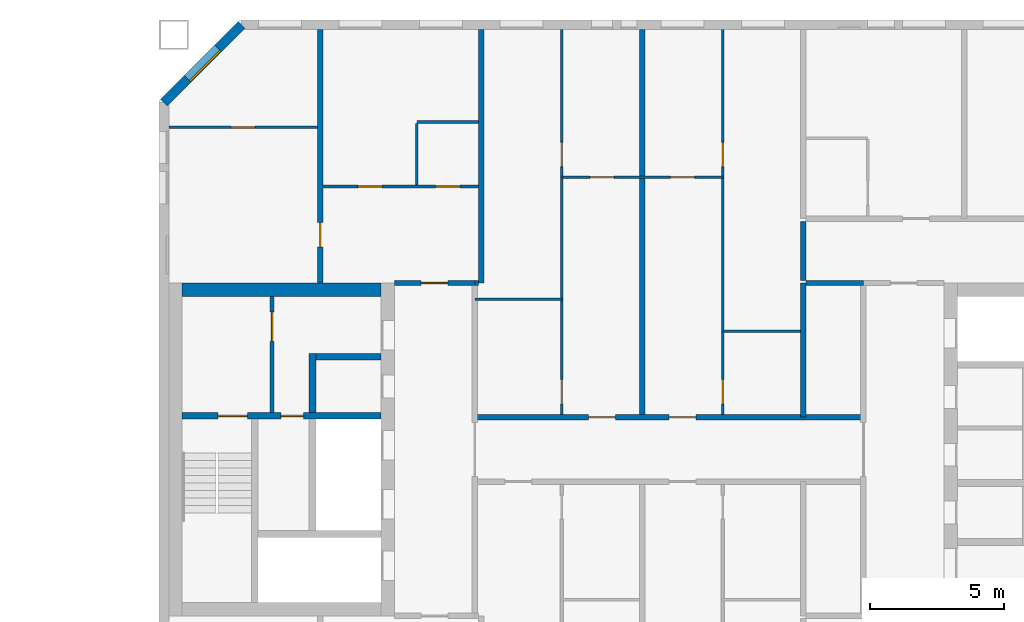
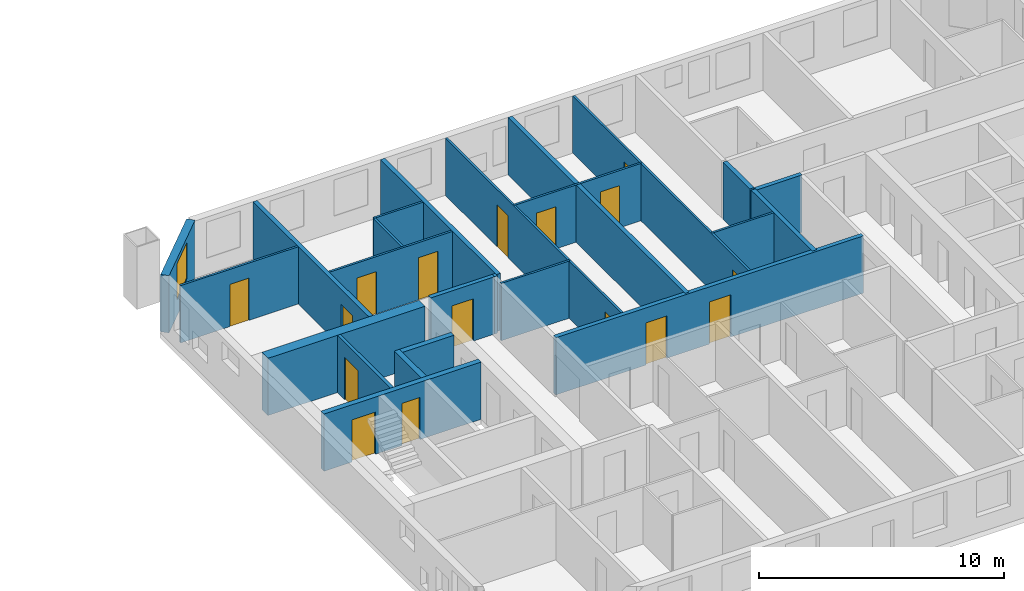
# One storey, part 10 of 15: 24 walls, 16 doors, 1 window, 17 openings.
"""IFC4 building model written with IfcOpenShell, lengths in metres."""

import ifcopenshell
import ifcopenshell.guid

model = None  # the IFC model being written
_history = None  # IfcOwnerHistory: only IFC2X3 demands one
_inside = {}  # id of a spatial element -> (the spatial element, [elements in it])
_under = {}  # id of a project, library or spatial element -> (it, [spatial elements below it])
_declared = {}  # id of a project -> (the project, [libraries it declares])
_typed = {}  # id of a type object -> (the type object, [elements of that type])
_made_of = {}  # id of a material, layer set ... -> (it, [elements and type objects made of it])


def new_model(schema):
    """Start an empty IFC model of exactly this schema.

    Asked for "IFC4X3", IfcOpenShell would pick the latest addendum, in which some entities
    have other attributes; the version numbers below select the first issue.
    IFC2X3 requires an IfcOwnerHistory on every rooted entity: one is made here for all.
    """
    global model, _history
    if schema == "IFC4X3":
        model = ifcopenshell.file(schema_version=(4, 3, 0, 0))
    else:
        model = ifcopenshell.file(schema=schema)
    _inside.clear()
    _under.clear()
    _declared.clear()
    _typed.clear()
    _made_of.clear()
    _history = None
    if model.schema == "IFC2X3":
        org = make("IfcOrganization", Name="unknown")
        user = make(
            "IfcPersonAndOrganization",
            ThePerson=make("IfcPerson", FamilyName="unknown"),
            TheOrganization=org,
        )
        app = make(
            "IfcApplication",
            ApplicationDeveloper=org,
            Version="unknown",
            ApplicationFullName="unknown",
            ApplicationIdentifier="unknown",
        )
        _history = make(
            "IfcOwnerHistory",
            OwningUser=user,
            OwningApplication=app,
            ChangeAction="ADDED",
            CreationDate=0,
        )
    return model


def make(cls, **values):
    """One entity of the class cls with the attributes given. An attribute that is None is left unset."""
    return model.create_entity(
        cls, **{name: value for name, value in values.items() if value is not None}
    )


def rooted(cls, **values):
    """An entity with a GlobalId (a new one), such as an element, a storey or a relation."""
    return make(cls, GlobalId=ifcopenshell.guid.new(), OwnerHistory=_history, **values)


def si_unit(unit_type, name, prefix=None):
    """IfcSIUnit, for example si_unit("LENGTHUNIT", "METRE", prefix="MILLI")."""
    return make("IfcSIUnit", UnitType=unit_type, Prefix=prefix, Name=name)


def assignment(units):
    """IfcUnitAssignment: the units of a project."""
    return None if units is None else make("IfcUnitAssignment", Units=units)


def point(xyz):
    """IfcCartesianPoint."""
    return None if xyz is None else make("IfcCartesianPoint", Coordinates=xyz)


def direction(xyz):
    """IfcDirection."""
    return None if xyz is None else make("IfcDirection", DirectionRatios=xyz)


def frame(location, z_axis=None, x_axis=None):
    """IfcAxis2Placement3D, a coordinate frame: its origin and axes. An axis left out is left unset."""
    return make(
        "IfcAxis2Placement3D",
        Location=point(location),
        Axis=direction(z_axis),
        RefDirection=direction(x_axis),
    )


def frame_2d(location, x_axis=None):
    """IfcAxis2Placement2D, a coordinate frame in the plane: its origin and x axis."""
    return make(
        "IfcAxis2Placement2D", Location=point(location), RefDirection=direction(x_axis)
    )


def origin():
    """The frame at (0, 0, 0) with its axes left unset."""
    return frame((0.0, 0.0, 0.0))


def place(relative_to, where):
    """IfcLocalPlacement: puts the frame where relative to a parent placement (None: the world)."""
    return make(
        "IfcLocalPlacement", PlacementRelTo=relative_to, RelativePlacement=where
    )


def context(
    kind, dimensions, precision=None, world=None, true_north=None, identifier=None
):
    """IfcGeometricRepresentationContext, for example the 3D "Model" context."""
    return make(
        "IfcGeometricRepresentationContext",
        ContextIdentifier=identifier,
        ContextType=kind,
        CoordinateSpaceDimension=dimensions,
        Precision=precision,
        WorldCoordinateSystem=world,
        TrueNorth=true_north,
    )


def subcontext(parent, identifier, kind, view, scale=None):
    """IfcGeometricRepresentationSubContext, for example "Body" below "Model"."""
    return make(
        "IfcGeometricRepresentationSubContext",
        ContextIdentifier=identifier,
        ContextType=kind,
        ParentContext=parent,
        TargetScale=scale,
        TargetView=view,
    )


def project(units=None, contexts=None):
    """IfcProject with its units and contexts."""
    return rooted(
        "IfcProject",
        Name="project",
        RepresentationContexts=contexts,
        UnitsInContext=assignment(units),
    )


def spatial(cls, under=None, at=None, **own):
    """A site, building, storey or space (cls), placed at a placement, below another one or the project."""
    s = rooted(cls, ObjectPlacement=at, **own)
    if under is not None:
        _under.setdefault(under.id(), (under, []))[1].append(s)
    return s


def profile(cls, at=None, kind="AREA", **sizes):
    """A parametric profile (cls). Its sizes go by their IFC names, for example OverallWidth=200.0."""
    return make(cls, ProfileType=kind, Position=at, **sizes)


def rectangle(**sizes):
    """IfcRectangleProfileDef."""
    return profile("IfcRectangleProfileDef", **sizes)


def extrude(swept, where, along, depth):
    """IfcExtrudedAreaSolid: the profile swept, set in the frame where, extruded along a direction by depth."""
    return make(
        "IfcExtrudedAreaSolid",
        SweptArea=swept,
        Position=where,
        ExtrudedDirection=direction(along),
        Depth=depth,
    )


def shape(context_of_items, identifier, shape_type, items):
    """IfcShapeRepresentation: the items that make up one representation, for example the "Body"."""
    return make(
        "IfcShapeRepresentation",
        ContextOfItems=context_of_items,
        RepresentationIdentifier=identifier,
        RepresentationType=shape_type,
        Items=items,
    )


def material(Name=None, Category=None):
    """IfcMaterial."""
    return make("IfcMaterial", Name=Name, Category=Category)


def layer(
    of_material, thickness, ventilated=None, Name=None, Category=None, Priority=None
):
    """IfcMaterialLayer: one layer of a wall or slab, of a material (None: an air gap)."""
    return make(
        "IfcMaterialLayer",
        Material=of_material,
        LayerThickness=thickness,
        IsVentilated=ventilated,
        Name=Name,
        Category=Category,
        Priority=Priority,
    )


def layer_set(layers, Name=None):
    """IfcMaterialLayerSet."""
    return make("IfcMaterialLayerSet", MaterialLayers=layers, LayerSetName=Name)


def made_of(thing, what):
    """Note that an element or type object is made of a material, layer set ...; save() writes the relation."""
    if what is not None:
        _made_of.setdefault(what.id(), (what, []))[1].append(thing)
    return thing


def type_object(cls, material=None, **own):
    """A type object (cls), such as IfcWallType, which elements share."""
    return made_of(rooted(cls, **own), material)


def element(
    cls,
    number,
    at=None,
    inside=None,
    cuts=None,
    type_object=None,
    material=None,
    context=None,
    identifier="Body",
    shape_type=None,
    held_by="IfcProductDefinitionShape",
    body=None,
    shapes=None,
    **own,
):
    """One element of the class cls, such as IfcWall. Its Tag is "e" and its number.

    at: its placement. inside: the storey or other place that contains it. cuts: it is an
    opening in that element (IfcRelVoidsElement). A single representation is given by context,
    identifier, shape_type and body (its items); several are given by shapes. held_by: the class
    of the entity that holds the representations. save() writes the other relations.
    """
    e = rooted(cls, Tag="e%d" % number, ObjectPlacement=at, **own)
    if body is not None:
        shapes = [shape(context, identifier, shape_type, body)]
    if shapes is not None:
        e.Representation = make(held_by, Representations=shapes)
    if inside is not None:
        _inside.setdefault(inside.id(), (inside, []))[1].append(e)
    if cuts is not None:
        rooted(
            "IfcRelVoidsElement", RelatingBuildingElement=cuts, RelatedOpeningElement=e
        )
    if type_object is not None:
        _typed.setdefault(type_object.id(), (type_object, []))[1].append(e)
    return made_of(e, material)


def fill(opening, filler):
    """IfcRelFillsElement: the door or window that sits in an opening."""
    return rooted(
        "IfcRelFillsElement",
        RelatingOpeningElement=opening,
        RelatedBuildingElement=filler,
    )


def aggregate(whole, parts):
    """IfcRelAggregates: a whole, such as a stair, and the parts it consists of."""
    return rooted("IfcRelAggregates", RelatingObject=whole, RelatedObjects=parts)


def save(model, path):
    """Write the relations noted so far, then the file.

    IfcRelAggregates (storeys below a building ...), IfcRelContainedInSpatialStructure (elements
    in a storey), IfcRelDefinesByType, IfcRelAssociatesMaterial and IfcRelDeclares: one each for
    every whole, place, type object, material and project.
    """
    for whole, parts in _under.values():
        aggregate(whole, parts)
    for where, things in _inside.values():
        rooted(
            "IfcRelContainedInSpatialStructure",
            RelatedElements=things,
            RelatingStructure=where,
        )
    for kind, things in _typed.values():
        rooted("IfcRelDefinesByType", RelatedObjects=things, RelatingType=kind)
    for what, things in _made_of.values():
        rooted("IfcRelAssociatesMaterial", RelatedObjects=things, RelatingMaterial=what)
    for by, libraries in _declared.values():
        rooted("IfcRelDeclares", RelatingContext=by, RelatedDefinitions=libraries)
    model.write(path)


model = new_model("IFC4")

# Units and contexts
model_context = context("Model", 3, precision=1e-05, world=origin(), true_north=direction((0.0, 1.0)))
body_context = subcontext(model_context, "Body", "Model", "MODEL_VIEW")
ifc_project = project(units=[si_unit("LENGTHUNIT", "METRE"), si_unit("AREAUNIT", "SQUARE_METRE"), si_unit("VOLUMEUNIT", "CUBIC_METRE"), si_unit("PLANEANGLEUNIT", "RADIAN"), si_unit("MASSUNIT", "GRAM", prefix="KILO")], contexts=[model_context])

# Site, building, storey
site_placement = place(None, origin())
site = spatial("IfcSite", under=ifc_project, at=site_placement, CompositionType="ELEMENT")
building_placement = place(site_placement, origin())
building = spatial("IfcBuilding", under=site, at=building_placement, Name="Tuart Gate Housing", CompositionType="ELEMENT")
storey_placement = place(building_placement, frame((0.0, 0.0, 160.89990234375)))
storey = spatial("IfcBuildingStorey", under=building, at=storey_placement, Name="L45", CompositionType="ELEMENT", Elevation=160.89990234375)

# Wall, opening, window
ifc_material_1 = material(Name="Brick", Category="masonry")
ifc_layer_1 = layer(ifc_material_1, 0.360107421875)
ifc_layer_set_1 = layer_set([ifc_layer_1], Name="Brick pier and spandrel wall 360")
wall_type_1 = type_object("IfcWallType", Name="Brick pier and spandrel wall 360", PredefinedType="STANDARD", material=ifc_layer_set_1)
wall_1_placement = place(storey_placement, frame((134.07470703125, 85.820068359375, 0.0), z_axis=(0.0, 0.0, 1.0), x_axis=(-0.707106781187, -0.707106781187, 0.0)))
wall_1 = element("IfcWall", 1, at=wall_1_placement, inside=storey, type_object=wall_type_1, Name="External wall B-NW L45", PredefinedType="STANDARD", context=body_context, shape_type="SweptSolid", body=[
    extrude(rectangle(XDim=4.09375, YDim=0.360107421875, at=frame_2d((2.046875, 0.0))), origin(), (0.0, 0.0, 1.0), 2.85009765625),
])
opening_1_placement = place(wall_1_placement, frame((1.2470703125, 0.0, 0.800048828125)))
opening_1 = element("IfcOpeningElement", 2, at=opening_1_placement, cuts=wall_1, Name="Opening W1", PredefinedType="OPENING", context=body_context, shape_type="SweptSolid", body=[
    extrude(rectangle(XDim=1.60009765625, YDim=1.800048828125, at=frame_2d((0.800048828125, 0.89990234375))), frame((0.0, 0.18994140625, 0.0), z_axis=(0.0, -1.0, 0.0), x_axis=(1.0, 0.0, 0.0)), (0.0, 0.0, 1.0), 0.380126953125),
])
ifc_material_2 = material(Name="Aluminium frame with clear glass", Category="aluminium")
window_type = type_object("IfcWindowType", Name="Punched window 1600 x 1800", PartitioningType="SINGLE_PANEL", PredefinedType="WINDOW", material=ifc_material_2)
window_placement = place(opening_1_placement, origin())
window = element("IfcWindow", 3, at=window_placement, inside=storey, type_object=window_type, Name="Window W1", OverallHeight=1.800048828125, OverallWidth=1.60009765625, PartitioningType="SINGLE_PANEL", PredefinedType="WINDOW", context=body_context, shape_type="SweptSolid", body=[
    extrude(rectangle(XDim=1.60009765625, YDim=1.800048828125, at=frame_2d((0.800048828125, 0.89990234375))), frame((0.0, 0.150146484375, 0.0), z_axis=(0.0, -1.0, 0.0), x_axis=(1.0, 0.0, 0.0)), (0.0, 0.0, 1.0), 0.06005859375),
])
fill(opening_1, window)

# Wall, opening, door
ifc_material_3 = material(Name="Plasterboard partition")
ifc_layer_2 = layer(ifc_material_3, 0.14990234375)
ifc_layer_set_2 = layer_set([ifc_layer_2], Name="Core partition 150")
wall_type_2 = type_object("IfcWallType", Name="Core partition 150", PredefinedType="PARTITIONING", material=ifc_layer_set_2)
wall_2_placement = place(storey_placement, frame((135.2099609375, 71.375, 0.0), z_axis=(0.0, 0.0, 1.0), x_axis=(0.0, 1.0, 0.0)))
wall_2 = element("IfcWall", 4, at=wall_2_placement, inside=storey, type_object=wall_type_2, Name="Core partition BG.6", PredefinedType="PARTITIONING", context=body_context, shape_type="SweptSolid", body=[
    extrude(rectangle(XDim=4.324951171875, YDim=0.14990234375, at=frame_2d((2.16259765625, 0.0))), origin(), (0.0, 0.0, 1.0), 2.85009765625),
])
opening_2_placement = place(wall_2_placement, frame((2.64990234375, 0.0, 0.0)))
opening_2 = element("IfcOpeningElement", 5, at=opening_2_placement, cuts=wall_2, Name="Opening D1698", PredefinedType="OPENING", context=body_context, shape_type="SweptSolid", body=[
    extrude(rectangle(XDim=1.10009765625, YDim=2.10009765625, at=frame_2d((0.550048828125, 1.050048828125))), frame((0.0, 0.0849609375, 0.0), z_axis=(0.0, -1.0, 0.0), x_axis=(1.0, 0.0, 0.0)), (0.0, 0.0, 1.0), 0.169921875),
])
ifc_material_4 = material(Name="Steel fire door", Category="steel")
door_type_1 = type_object("IfcDoorType", Name="Lobby door 1100 x 2100 RH", OperationType="SINGLE_SWING_RIGHT", PredefinedType="DOOR", material=ifc_material_4)
door_1_placement = place(opening_2_placement, origin())
door_1 = element("IfcDoor", 6, at=door_1_placement, inside=storey, type_object=door_type_1, Name="Smoke lobby door BG.KD", OperationType="SINGLE_SWING_RIGHT", OverallHeight=2.10009765625, OverallWidth=1.10009765625, PredefinedType="DOOR", context=body_context, shape_type="SweptSolid", body=[
    extrude(rectangle(XDim=1.10009765625, YDim=2.10009765625, at=frame_2d((0.550048828125, 1.050048828125))), frame((0.0, 0.02490234375, 0.0), z_axis=(0.0, -1.0, 0.0), x_axis=(1.0, 0.0, 0.0)), (0.0, 0.0, 1.0), 0.050048828125),
])
fill(opening_2, door_1)

# Wall, openings, doors
ifc_material_5 = material(Name="Concrete C40", Category="concrete")
ifc_layer_3 = layer(ifc_material_5, 0.25)
ifc_layer_set_3 = layer_set([ifc_layer_3], Name="Core wall 250 C40")
wall_type_3 = type_object("IfcWallType", Name="Core wall 250 C40", PredefinedType="SHEAR", material=ifc_layer_set_3)
wall_3_placement = place(storey_placement, frame((139.260009765625, 71.25, 0.0), z_axis=(0.0, 0.0, 1.0), x_axis=(-1.0, 0.0, 0.0)))
wall_3 = element("IfcWall", 7, at=wall_3_placement, inside=storey, type_object=wall_type_3, Name="Core wall BG.2", PredefinedType="SHEAR", context=body_context, shape_type="SweptSolid", body=[
    extrude(rectangle(XDim=7.39990234375, YDim=0.25, at=frame_2d((3.699951171875, 0.0))), origin(), (0.0, 0.0, 1.0), 2.85009765625),
])
opening_3_placement = place(wall_3_placement, frame((4.97509765625, 0.0, 0.0)))
opening_3 = element("IfcOpeningElement", 8, at=opening_3_placement, cuts=wall_3, Name="Opening D1700", PredefinedType="OPENING", context=body_context, shape_type="SweptSolid", body=[
    extrude(rectangle(XDim=1.10009765625, YDim=2.10009765625, at=frame_2d((0.550048828125, 1.050048828125))), frame((0.0, 0.135009765625, 0.0), z_axis=(0.0, -1.0, 0.0), x_axis=(1.0, 0.0, 0.0)), (0.0, 0.0, 1.0), 0.27001953125),
])
opening_4_placement = place(wall_3_placement, frame((2.875, 0.0, 0.0)))
opening_4 = element("IfcOpeningElement", 9, at=opening_4_placement, cuts=wall_3, Name="Opening D1699", PredefinedType="OPENING", context=body_context, shape_type="SweptSolid", body=[
    extrude(rectangle(XDim=0.85009765625, YDim=2.10009765625, at=frame_2d((0.425048828125, 1.050048828125))), frame((0.0, 0.135009765625, 0.0), z_axis=(0.0, -1.0, 0.0), x_axis=(1.0, 0.0, 0.0)), (0.0, 0.0, 1.0), 0.27001953125),
])
ifc_material_6 = material(Name="Steel fire door", Category="steel")
door_type_2 = type_object("IfcDoorType", Name="Riser door 850 x 2100", OperationType="SINGLE_SWING_LEFT", PredefinedType="DOOR", material=ifc_material_6)
door_2_placement = place(opening_4_placement, origin())
door_2 = element("IfcDoor", 10, at=door_2_placement, inside=storey, type_object=door_type_2, Name="Service room door BG.W1", OperationType="SINGLE_SWING_LEFT", OverallHeight=2.10009765625, OverallWidth=0.85009765625, PredefinedType="DOOR", context=body_context, shape_type="SweptSolid", body=[
    extrude(rectangle(XDim=0.85009765625, YDim=2.10009765625, at=frame_2d((0.425048828125, 1.050048828125))), frame((0.0, 0.02490234375, 0.0), z_axis=(0.0, -1.0, 0.0), x_axis=(1.0, 0.0, 0.0)), (0.0, 0.0, 1.0), 0.050048828125),
])
fill(opening_4, door_2)
ifc_material_7 = material(Name="Steel fire door", Category="steel")
door_type_3 = type_object("IfcDoorType", Name="Stair door 1100 x 2100", OperationType="SINGLE_SWING_LEFT", PredefinedType="DOOR", material=ifc_material_7)
door_3_placement = place(opening_3_placement, origin())
door_3 = element("IfcDoor", 11, at=door_3_placement, inside=storey, type_object=door_type_3, Name="Stair door BG.SD", OperationType="SINGLE_SWING_LEFT", OverallHeight=2.10009765625, OverallWidth=1.10009765625, PredefinedType="DOOR", context=body_context, shape_type="SweptSolid", body=[
    extrude(rectangle(XDim=1.10009765625, YDim=2.10009765625, at=frame_2d((0.550048828125, 1.050048828125))), frame((0.0, 0.02490234375, 0.0), z_axis=(0.0, -1.0, 0.0), x_axis=(1.0, 0.0, 0.0)), (0.0, 0.0, 1.0), 0.050048828125),
])
fill(opening_3, door_3)

# Walls
wall_4_placement = place(storey_placement, frame((139.260009765625, 73.449951171875, 0.0), z_axis=(0.0, 0.0, 1.0), x_axis=(-1.0, 0.0, 0.0)))
element("IfcWall", 12, at=wall_4_placement, inside=storey, type_object=wall_type_3, Name="Core wall BG.3", PredefinedType="SHEAR", context=body_context, shape_type="SweptSolid", body=[
    extrude(rectangle(XDim=2.425048828125, YDim=0.25, at=frame_2d((1.21240234375, 0.0))), origin(), (0.0, 0.0, 1.0), 2.85009765625),
])
wall_5_placement = place(storey_placement, frame((136.7099609375, 71.375, 0.0), z_axis=(0.0, 0.0, 1.0), x_axis=(0.0, 1.0, 0.0)))
element("IfcWall", 13, at=wall_5_placement, inside=storey, type_object=wall_type_3, Name="Core wall BG.5", PredefinedType="SHEAR", context=body_context, shape_type="SweptSolid", body=[
    extrude(rectangle(XDim=2.199951171875, YDim=0.25, at=frame_2d((1.10009765625, 0.0))), origin(), (0.0, 0.0, 1.0), 2.85009765625),
])
ifc_material_8 = material(Name="Concrete C40", Category="concrete")
ifc_layer_4 = layer(ifc_material_8, 0.5)
ifc_layer_set_4 = layer_set([ifc_layer_4], Name="Core wall 500 C40")
wall_type_4 = type_object("IfcWallType", Name="Core wall 500 C40", PredefinedType="SHEAR", material=ifc_layer_set_4)
wall_6_placement = place(storey_placement, frame((139.260009765625, 75.949951171875, 0.0), z_axis=(0.0, 0.0, 1.0), x_axis=(-1.0, 0.0, 0.0)))
element("IfcWall", 14, at=wall_6_placement, inside=storey, type_object=wall_type_4, Name="Core wall BG north", PredefinedType="SHEAR", context=body_context, shape_type="SweptSolid", body=[
    extrude(rectangle(XDim=7.39990234375, YDim=0.5, at=frame_2d((3.699951171875, 0.0))), origin(), (0.0, 0.0, 1.0), 2.85009765625),
])

# Wall, openings, doors
ifc_material_9 = material(Name="Concrete masonry 15 MPa", Category="masonry")
ifc_layer_5 = layer(ifc_material_9, 0.199951171875)
ifc_layer_set_5 = layer_set([ifc_layer_5], Name="Corridor wall masonry 200")
wall_type_5 = type_object("IfcWallType", Name="Corridor wall masonry 200", PredefinedType="PARTITIONING", material=ifc_layer_set_5)
wall_7_placement = place(storey_placement, frame((142.760009765625, 71.199951171875, 0.0), z_axis=(0.0, 0.0, 1.0), x_axis=(1.0, 0.0, 0.0)))
wall_7 = element("IfcWall", 15, at=wall_7_placement, inside=storey, type_object=wall_type_5, Name="Corridor wall masonry 200", PredefinedType="PARTITIONING", context=body_context, shape_type="SweptSolid", body=[
    extrude(rectangle(XDim=14.47998046875, YDim=0.199951171875, at=frame_2d((7.239990234375, 0.0))), origin(), (0.0, 0.0, 1.0), 2.85009765625),
])
opening_5_placement = place(wall_7_placement, frame((4.239990234375, 0.0, 0.0)))
opening_5 = element("IfcOpeningElement", 16, at=opening_5_placement, cuts=wall_7, Name="Opening D1701", PredefinedType="OPENING", context=body_context, shape_type="SweptSolid", body=[
    extrude(rectangle(XDim=1.0, YDim=2.10009765625, at=frame_2d((0.5, 1.050048828125))), frame((0.0, 0.10986328125, 0.0), z_axis=(0.0, -1.0, 0.0), x_axis=(1.0, 0.0, 0.0)), (0.0, 0.0, 1.0), 0.219970703125),
])
opening_6_placement = place(wall_7_placement, frame((7.239990234375, 0.0, 0.0)))
opening_6 = element("IfcOpeningElement", 17, at=opening_6_placement, cuts=wall_7, Name="Opening D1702", PredefinedType="OPENING", context=body_context, shape_type="SweptSolid", body=[
    extrude(rectangle(XDim=1.0, YDim=2.10009765625, at=frame_2d((0.5, 1.050048828125))), frame((0.0, 0.10986328125, 0.0), z_axis=(0.0, -1.0, 0.0), x_axis=(1.0, 0.0, 0.0)), (0.0, 0.0, 1.0), 0.219970703125),
])
ifc_material_10 = material(Name="Timber door leaf in steel frame", Category="steel")
door_type_4 = type_object("IfcDoorType", Name="Flat entrance door 1000", OperationType="SINGLE_SWING_LEFT", PredefinedType="DOOR", material=ifc_material_10)
door_4_placement = place(opening_5_placement, origin())
door_4 = element("IfcDoor", 18, at=door_4_placement, inside=storey, type_object=door_type_4, Name="Flat entrance door", OperationType="SINGLE_SWING_LEFT", OverallHeight=2.10009765625, OverallWidth=1.0, PredefinedType="DOOR", context=body_context, shape_type="SweptSolid", body=[
    extrude(rectangle(XDim=1.0, YDim=2.10009765625, at=frame_2d((0.5, 1.050048828125))), frame((0.0, 0.02490234375, 0.0), z_axis=(0.0, -1.0, 0.0), x_axis=(1.0, 0.0, 0.0)), (0.0, 0.0, 1.0), 0.050048828125),
])
fill(opening_5, door_4)
door_5_placement = place(opening_6_placement, origin())
door_5 = element("IfcDoor", 19, at=door_5_placement, inside=storey, type_object=door_type_4, Name="Flat entrance door", OperationType="SINGLE_SWING_LEFT", OverallHeight=2.10009765625, OverallWidth=1.0, PredefinedType="DOOR", context=body_context, shape_type="SweptSolid", body=[
    extrude(rectangle(XDim=1.0, YDim=2.10009765625, at=frame_2d((0.5, 1.050048828125))), frame((0.0, 0.02490234375, 0.0), z_axis=(0.0, -1.0, 0.0), x_axis=(1.0, 0.0, 0.0)), (0.0, 0.0, 1.0), 0.050048828125),
])
fill(opening_6, door_5)

# Walls
wall_8_placement = place(storey_placement, frame((155.10009765625, 76.199951171875, 0.0), z_axis=(0.0, 0.0, 1.0), x_axis=(1.0, 0.0, 0.0)))
element("IfcWall", 20, at=wall_8_placement, inside=storey, type_object=wall_type_5, Name="Corridor wall masonry 200", PredefinedType="PARTITIONING", context=body_context, shape_type="SweptSolid", body=[
    extrude(rectangle(XDim=2.139892578125, YDim=0.199951171875, at=frame_2d((1.06982421875, 0.0))), origin(), (0.0, 0.0, 1.0), 2.85009765625),
])
wall_9_placement = place(storey_placement, frame((155.0, 76.300048828125, 0.0), z_axis=(0.0, 0.0, 1.0), x_axis=(0.0, 1.0, 0.0)))
element("IfcWall", 21, at=wall_9_placement, inside=storey, type_object=wall_type_5, Name="Corridor wall masonry 200", PredefinedType="PARTITIONING", context=body_context, shape_type="SweptSolid", body=[
    extrude(rectangle(XDim=2.199951171875, YDim=0.199951171875, at=frame_2d((1.10009765625, 0.0))), origin(), (0.0, 0.0, 1.0), 2.85009765625),
])

# Wall, opening, door
ifc_material_11 = material(Name="Concrete masonry 15 MPa", Category="masonry")
ifc_layer_6 = layer(ifc_material_11, 0.199951171875)
ifc_layer_set_6 = layer_set([ifc_layer_6], Name="Enclosure wall masonry 200")
wall_type_6 = type_object("IfcWallType", Name="Enclosure wall masonry 200", PredefinedType="PARTITIONING", material=ifc_layer_set_6)
wall_10_placement = place(storey_placement, frame((139.760009765625, 76.199951171875, 0.0), z_axis=(0.0, 0.0, 1.0), x_axis=(1.0, 0.0, 0.0)))
wall_10 = element("IfcWall", 22, at=wall_10_placement, inside=storey, type_object=wall_type_6, Name="Enclosure wall masonry 200", PredefinedType="PARTITIONING", context=body_context, shape_type="SweptSolid", body=[
    extrude(rectangle(XDim=3.0, YDim=0.199951171875, at=frame_2d((1.5, 0.0))), origin(), (0.0, 0.0, 1.0), 2.85009765625),
])
opening_7_placement = place(wall_10_placement, frame((1.0, 0.0, 0.0)))
opening_7 = element("IfcOpeningElement", 23, at=opening_7_placement, cuts=wall_10, Name="Opening D1696", PredefinedType="OPENING", context=body_context, shape_type="SweptSolid", body=[
    extrude(rectangle(XDim=1.0, YDim=2.10009765625, at=frame_2d((0.5, 1.050048828125))), frame((0.0, 0.10986328125, 0.0), z_axis=(0.0, -1.0, 0.0), x_axis=(1.0, 0.0, 0.0)), (0.0, 0.0, 1.0), 0.219970703125),
])
ifc_material_12 = material(Name="Timber door leaf in steel frame", Category="steel")
door_type_5 = type_object("IfcDoorType", Name="Flat entrance door 1000 RH", OperationType="SINGLE_SWING_RIGHT", PredefinedType="DOOR", material=ifc_material_12)
door_6_placement = place(opening_7_placement, origin())
door_6 = element("IfcDoor", 24, at=door_6_placement, inside=storey, type_object=door_type_5, Name="Flat entrance door", OperationType="SINGLE_SWING_RIGHT", OverallHeight=2.10009765625, OverallWidth=1.0, PredefinedType="DOOR", context=body_context, shape_type="SweptSolid", body=[
    extrude(rectangle(XDim=1.0, YDim=2.10009765625, at=frame_2d((0.5, 1.050048828125))), frame((0.0, 0.02490234375, 0.0), z_axis=(0.0, -1.0, 0.0), x_axis=(1.0, 0.0, 0.0)), (0.0, 0.0, 1.0), 0.050048828125),
])
fill(opening_7, door_6)

# Walls
ifc_material_13 = material(Name="Gypsum board on steel studs", Category="steel")
ifc_layer_7 = layer(ifc_material_13, 0.10009765625)
ifc_layer_set_7 = layer_set([ifc_layer_7], Name="Partition 100")
wall_type_7 = type_object("IfcWallType", Name="Partition 100", PredefinedType="PARTITIONING", material=ifc_layer_set_7)
wall_11_placement = place(storey_placement, frame((152.0, 74.39990234375, 0.0), z_axis=(0.0, 0.0, 1.0), x_axis=(1.0, 0.0, 0.0)))
element("IfcWall", 25, at=wall_11_placement, inside=storey, type_object=wall_type_7, Name="Partition 100", PredefinedType="PARTITIONING", context=body_context, shape_type="SweptSolid", body=[
    extrude(rectangle(XDim=2.89990234375, YDim=0.10009765625, at=frame_2d((1.449951171875, 0.0))), origin(), (0.0, 0.0, 1.0), 2.85009765625),
])
wall_12_placement = place(storey_placement, frame((142.760009765625, 75.60009765625, 0.0), z_axis=(0.0, 0.0, 1.0), x_axis=(1.0, 0.0, 0.0)))
element("IfcWall", 26, at=wall_12_placement, inside=storey, type_object=wall_type_7, Name="Partition 100", PredefinedType="PARTITIONING", context=body_context, shape_type="SweptSolid", body=[
    extrude(rectangle(XDim=3.239990234375, YDim=0.10009765625, at=frame_2d((1.6201171875, 0.0))), origin(), (0.0, 0.0, 1.0), 2.85009765625),
])

# Wall, openings, doors
wall_13_placement = place(storey_placement, frame((137.10009765625, 79.800048828125, 0.0), z_axis=(0.0, 0.0, 1.0), x_axis=(1.0, 0.0, 0.0)))
wall_13 = element("IfcWall", 27, at=wall_13_placement, inside=storey, type_object=wall_type_7, Name="Partition 100", PredefinedType="PARTITIONING", context=body_context, shape_type="SweptSolid", body=[
    extrude(rectangle(XDim=5.7998046875, YDim=0.10009765625, at=frame_2d((2.89990234375, 0.0))), origin(), (0.0, 0.0, 1.0), 2.85009765625),
])
opening_8_placement = place(wall_13_placement, frame((1.300048828125, 0.0, 0.0)))
opening_8 = element("IfcOpeningElement", 28, at=opening_8_placement, cuts=wall_13, Name="Opening D1689", PredefinedType="OPENING", context=body_context, shape_type="SweptSolid", body=[
    extrude(rectangle(XDim=0.89990234375, YDim=2.10009765625, at=frame_2d((0.449951171875, 1.050048828125))), frame((0.0, 0.06005859375, 0.0), z_axis=(0.0, -1.0, 0.0), x_axis=(1.0, 0.0, 0.0)), (0.0, 0.0, 1.0), 0.1201171875),
])
opening_9_placement = place(wall_13_placement, frame((4.199951171875, 0.0, 0.0)))
opening_9 = element("IfcOpeningElement", 29, at=opening_9_placement, cuts=wall_13, Name="Opening D1688", PredefinedType="OPENING", context=body_context, shape_type="SweptSolid", body=[
    extrude(rectangle(XDim=0.89990234375, YDim=2.10009765625, at=frame_2d((0.449951171875, 1.050048828125))), frame((0.0, 0.06005859375, 0.0), z_axis=(0.0, -1.0, 0.0), x_axis=(1.0, 0.0, 0.0)), (0.0, 0.0, 1.0), 0.1201171875),
])
ifc_material_14 = material(Name="Timber door leaf in steel frame", Category="steel")
door_type_6 = type_object("IfcDoorType", Name="Bathroom door 900", OperationType="SINGLE_SWING_LEFT", PredefinedType="DOOR", material=ifc_material_14)
door_7_placement = place(opening_9_placement, origin())
door_7 = element("IfcDoor", 30, at=door_7_placement, inside=storey, type_object=door_type_6, Name="Bathroom door", OperationType="SINGLE_SWING_LEFT", OverallHeight=2.10009765625, OverallWidth=0.89990234375, PredefinedType="DOOR", context=body_context, shape_type="SweptSolid", body=[
    extrude(rectangle(XDim=0.89990234375, YDim=2.10009765625, at=frame_2d((0.449951171875, 1.050048828125))), frame((0.0, 0.02490234375, 0.0), z_axis=(0.0, -1.0, 0.0), x_axis=(1.0, 0.0, 0.0)), (0.0, 0.0, 1.0), 0.050048828125),
])
fill(opening_9, door_7)
ifc_material_15 = material(Name="Timber door leaf in steel frame", Category="steel")
door_type_7 = type_object("IfcDoorType", Name="Internal door 900 RH", OperationType="SINGLE_SWING_RIGHT", PredefinedType="DOOR", material=ifc_material_15)
door_8_placement = place(opening_8_placement, origin())
door_8 = element("IfcDoor", 31, at=door_8_placement, inside=storey, type_object=door_type_7, Name="Internal door", OperationType="SINGLE_SWING_RIGHT", OverallHeight=2.10009765625, OverallWidth=0.89990234375, PredefinedType="DOOR", context=body_context, shape_type="SweptSolid", body=[
    extrude(rectangle(XDim=0.89990234375, YDim=2.10009765625, at=frame_2d((0.449951171875, 1.050048828125))), frame((0.0, 0.02490234375, 0.0), z_axis=(0.0, -1.0, 0.0), x_axis=(1.0, 0.0, 0.0)), (0.0, 0.0, 1.0), 0.050048828125),
])
fill(opening_8, door_8)

wall_14_placement = place(storey_placement, frame((146.0, 80.139892578125, 0.0), z_axis=(0.0, 0.0, 1.0), x_axis=(1.0, 0.0, 0.0)))
wall_14 = element("IfcWall", 32, at=wall_14_placement, inside=storey, type_object=wall_type_7, Name="Partition 100", PredefinedType="PARTITIONING", context=body_context, shape_type="SweptSolid", body=[
    extrude(rectangle(XDim=6.0, YDim=0.10009765625, at=frame_2d((3.0, 0.0))), origin(), (0.0, 0.0, 1.0), 2.85009765625),
])
opening_10_placement = place(wall_14_placement, frame((1.050048828125, 0.0, 0.0)))
opening_10 = element("IfcOpeningElement", 33, at=opening_10_placement, cuts=wall_14, Name="Opening D1685", PredefinedType="OPENING", context=body_context, shape_type="SweptSolid", body=[
    extrude(rectangle(XDim=0.89990234375, YDim=2.10009765625, at=frame_2d((0.449951171875, 1.050048828125))), frame((0.0, 0.06005859375, 0.0), z_axis=(0.0, -1.0, 0.0), x_axis=(1.0, 0.0, 0.0)), (0.0, 0.0, 1.0), 0.1201171875),
])
opening_11_placement = place(wall_14_placement, frame((4.050048828125, 0.0, 0.0)))
opening_11 = element("IfcOpeningElement", 34, at=opening_11_placement, cuts=wall_14, Name="Opening D1686", PredefinedType="OPENING", context=body_context, shape_type="SweptSolid", body=[
    extrude(rectangle(XDim=0.89990234375, YDim=2.10009765625, at=frame_2d((0.449951171875, 1.050048828125))), frame((0.0, 0.06005859375, 0.0), z_axis=(0.0, -1.0, 0.0), x_axis=(1.0, 0.0, 0.0)), (0.0, 0.0, 1.0), 0.1201171875),
])
door_9_placement = place(opening_10_placement, frame((0.89990234375, 0.0, 0.0), z_axis=(0.0, 0.0, 1.0), x_axis=(-1.0, 0.0, 0.0)))
door_9 = element("IfcDoor", 35, at=door_9_placement, inside=storey, type_object=door_type_7, Name="Internal door", OperationType="SINGLE_SWING_RIGHT", OverallHeight=2.10009765625, OverallWidth=0.89990234375, PredefinedType="DOOR", context=body_context, shape_type="SweptSolid", body=[
    extrude(rectangle(XDim=0.89990234375, YDim=2.10009765625, at=frame_2d((0.449951171875, 1.050048828125))), frame((0.0, 0.025146484375, 0.0), z_axis=(0.0, -1.0, 0.0), x_axis=(1.0, 0.0, 0.0)), (0.0, 0.0, 1.0), 0.050048828125),
])
fill(opening_10, door_9)
door_10_placement = place(opening_11_placement, frame((0.89990234375, 0.0, 0.0), z_axis=(0.0, 0.0, 1.0), x_axis=(-1.0, 0.0, 0.0)))
door_10 = element("IfcDoor", 36, at=door_10_placement, inside=storey, type_object=door_type_7, Name="Internal door", OperationType="SINGLE_SWING_RIGHT", OverallHeight=2.10009765625, OverallWidth=0.89990234375, PredefinedType="DOOR", context=body_context, shape_type="SweptSolid", body=[
    extrude(rectangle(XDim=0.89990234375, YDim=2.10009765625, at=frame_2d((0.449951171875, 1.050048828125))), frame((0.0, 0.025146484375, 0.0), z_axis=(0.0, -1.0, 0.0), x_axis=(1.0, 0.0, 0.0)), (0.0, 0.0, 1.0), 0.050048828125),
])
fill(opening_11, door_10)

# Wall, opening, door
wall_15_placement = place(storey_placement, frame((131.360107421875, 82.0, 0.0), z_axis=(0.0, 0.0, 1.0), x_axis=(1.0, 0.0, 0.0)))
wall_15 = element("IfcWall", 37, at=wall_15_placement, inside=storey, type_object=wall_type_7, Name="Partition 100", PredefinedType="PARTITIONING", context=body_context, shape_type="SweptSolid", body=[
    extrude(rectangle(XDim=5.539794921875, YDim=0.10009765625, at=frame_2d((2.77001953125, 0.0))), origin(), (0.0, 0.0, 1.0), 2.85009765625),
])
opening_12_placement = place(wall_15_placement, frame((2.320068359375, 0.0, 0.0)))
opening_12 = element("IfcOpeningElement", 38, at=opening_12_placement, cuts=wall_15, Name="Opening D1683", PredefinedType="OPENING", context=body_context, shape_type="SweptSolid", body=[
    extrude(rectangle(XDim=0.89990234375, YDim=2.10009765625, at=frame_2d((0.449951171875, 1.050048828125))), frame((0.0, 0.06005859375, 0.0), z_axis=(0.0, -1.0, 0.0), x_axis=(1.0, 0.0, 0.0)), (0.0, 0.0, 1.0), 0.1201171875),
])
ifc_material_16 = material(Name="Timber door leaf in steel frame", Category="steel")
door_type_8 = type_object("IfcDoorType", Name="Internal door 900", OperationType="SINGLE_SWING_LEFT", PredefinedType="DOOR", material=ifc_material_16)
door_11_placement = place(opening_12_placement, origin())
door_11 = element("IfcDoor", 39, at=door_11_placement, inside=storey, type_object=door_type_8, Name="Internal door", OperationType="SINGLE_SWING_LEFT", OverallHeight=2.10009765625, OverallWidth=0.89990234375, PredefinedType="DOOR", context=body_context, shape_type="SweptSolid", body=[
    extrude(rectangle(XDim=0.89990234375, YDim=2.10009765625, at=frame_2d((0.449951171875, 1.050048828125))), frame((0.0, 0.02490234375, 0.0), z_axis=(0.0, -1.0, 0.0), x_axis=(1.0, 0.0, 0.0)), (0.0, 0.0, 1.0), 0.050048828125),
])
fill(opening_12, door_11)

# Walls
for number, where, z_axis, x_axis, name in (
    (40, (140.60009765625, 82.199951171875, 0.0), (0.0, 0.0, 1.0), (1.0, 0.0, 0.0), "Partition 100"),
    (41, (140.60009765625, 79.85009765625, 0.0), (0.0, 0.0, 1.0), (0.0, 1.0, 0.0), "Partition 100"),
):
    element("IfcWall", number, at=place(storey_placement, frame(where, z_axis=z_axis, x_axis=x_axis)), inside=storey, type_object=wall_type_7, Name=name, PredefinedType="PARTITIONING", context=body_context, shape_type="SweptSolid", body=[
        extrude(rectangle(XDim=2.2998046875, YDim=0.10009765625, at=frame_2d((1.14990234375, 0.0))), origin(), (0.0, 0.0, 1.0), 2.85009765625),
    ])

# Wall, openings, doors
wall_16_placement = place(storey_placement, frame((146.0, 71.300048828125, 0.0), z_axis=(0.0, 0.0, 1.0), x_axis=(0.0, 1.0, 0.0)))
wall_16 = element("IfcWall", 42, at=wall_16_placement, inside=storey, type_object=wall_type_7, Name="Partition 100", PredefinedType="PARTITIONING", context=body_context, shape_type="SweptSolid", body=[
    extrude(rectangle(XDim=14.33984375, YDim=0.10009765625, at=frame_2d((7.169921875, 0.0))), origin(), (0.0, 0.0, 1.0), 2.85009765625),
])
opening_13_placement = place(wall_16_placement, frame((9.239990234375, 0.0, 0.0)))
opening_13 = element("IfcOpeningElement", 43, at=opening_13_placement, cuts=wall_16, Name="Opening D1693", PredefinedType="OPENING", context=body_context, shape_type="SweptSolid", body=[
    extrude(rectangle(XDim=0.89990234375, YDim=2.10009765625, at=frame_2d((0.449951171875, 1.050048828125))), frame((0.0, 0.06005859375, 0.0), z_axis=(0.0, -1.0, 0.0), x_axis=(1.0, 0.0, 0.0)), (0.0, 0.0, 1.0), 0.1201171875),
])
opening_14_placement = place(wall_16_placement, frame((0.39990234375, 0.0, 0.0)))
opening_14 = element("IfcOpeningElement", 44, at=opening_14_placement, cuts=wall_16, Name="Opening D1692", PredefinedType="OPENING", context=body_context, shape_type="SweptSolid", body=[
    extrude(rectangle(XDim=0.89990234375, YDim=2.10009765625, at=frame_2d((0.449951171875, 1.050048828125))), frame((0.0, 0.06005859375, 0.0), z_axis=(0.0, -1.0, 0.0), x_axis=(1.0, 0.0, 0.0)), (0.0, 0.0, 1.0), 0.1201171875),
])
door_12_placement = place(opening_14_placement, origin())
door_12 = element("IfcDoor", 45, at=door_12_placement, inside=storey, type_object=door_type_6, Name="Bathroom door", OperationType="SINGLE_SWING_LEFT", OverallHeight=2.10009765625, OverallWidth=0.89990234375, PredefinedType="DOOR", context=body_context, shape_type="SweptSolid", body=[
    extrude(rectangle(XDim=0.89990234375, YDim=2.10009765625, at=frame_2d((0.449951171875, 1.050048828125))), frame((0.0, 0.02490234375, 0.0), z_axis=(0.0, -1.0, 0.0), x_axis=(1.0, 0.0, 0.0)), (0.0, 0.0, 1.0), 0.050048828125),
])
fill(opening_14, door_12)
door_13_placement = place(opening_13_placement, origin())
door_13 = element("IfcDoor", 46, at=door_13_placement, inside=storey, type_object=door_type_7, Name="Internal door", OperationType="SINGLE_SWING_RIGHT", OverallHeight=2.10009765625, OverallWidth=0.89990234375, PredefinedType="DOOR", context=body_context, shape_type="SweptSolid", body=[
    extrude(rectangle(XDim=0.89990234375, YDim=2.10009765625, at=frame_2d((0.449951171875, 1.050048828125))), frame((0.0, 0.02490234375, 0.0), z_axis=(0.0, -1.0, 0.0), x_axis=(1.0, 0.0, 0.0)), (0.0, 0.0, 1.0), 0.050048828125),
])
fill(opening_13, door_13)

wall_17_placement = place(storey_placement, frame((152.0, 71.300048828125, 0.0), z_axis=(0.0, 0.0, 1.0), x_axis=(0.0, 1.0, 0.0)))
wall_17 = element("IfcWall", 47, at=wall_17_placement, inside=storey, type_object=wall_type_7, Name="Partition 100", PredefinedType="PARTITIONING", context=body_context, shape_type="SweptSolid", body=[
    extrude(rectangle(XDim=14.33984375, YDim=0.10009765625, at=frame_2d((7.169921875, 0.0))), origin(), (0.0, 0.0, 1.0), 2.85009765625),
])
opening_15_placement = place(wall_17_placement, frame((9.239990234375, 0.0, 0.0)))
opening_15 = element("IfcOpeningElement", 48, at=opening_15_placement, cuts=wall_17, Name="Opening D1695", PredefinedType="OPENING", context=body_context, shape_type="SweptSolid", body=[
    extrude(rectangle(XDim=0.89990234375, YDim=2.10009765625, at=frame_2d((0.449951171875, 1.050048828125))), frame((0.0, 0.06005859375, 0.0), z_axis=(0.0, -1.0, 0.0), x_axis=(1.0, 0.0, 0.0)), (0.0, 0.0, 1.0), 0.1201171875),
])
opening_16_placement = place(wall_17_placement, frame((0.39990234375, 0.0, 0.0)))
opening_16 = element("IfcOpeningElement", 49, at=opening_16_placement, cuts=wall_17, Name="Opening D1694", PredefinedType="OPENING", context=body_context, shape_type="SweptSolid", body=[
    extrude(rectangle(XDim=0.89990234375, YDim=2.10009765625, at=frame_2d((0.449951171875, 1.050048828125))), frame((0.0, 0.06005859375, 0.0), z_axis=(0.0, -1.0, 0.0), x_axis=(1.0, 0.0, 0.0)), (0.0, 0.0, 1.0), 0.1201171875),
])
ifc_material_17 = material(Name="Timber door leaf in steel frame", Category="steel")
door_type_9 = type_object("IfcDoorType", Name="Bathroom door 900 RH", OperationType="SINGLE_SWING_RIGHT", PredefinedType="DOOR", material=ifc_material_17)
door_14_placement = place(opening_16_placement, frame((0.89990234375, 0.0, 0.0), z_axis=(0.0, 0.0, 1.0), x_axis=(-1.0, 0.0, 0.0)))
door_14 = element("IfcDoor", 50, at=door_14_placement, inside=storey, type_object=door_type_9, Name="Bathroom door", OperationType="SINGLE_SWING_RIGHT", OverallHeight=2.10009765625, OverallWidth=0.89990234375, PredefinedType="DOOR", context=body_context, shape_type="SweptSolid", body=[
    extrude(rectangle(XDim=0.89990234375, YDim=2.10009765625, at=frame_2d((0.449951171875, 1.050048828125))), frame((0.0, 0.025146484375, 0.0), z_axis=(0.0, -1.0, 0.0), x_axis=(1.0, 0.0, 0.0)), (0.0, 0.0, 1.0), 0.050048828125),
])
fill(opening_16, door_14)
door_15_placement = place(opening_15_placement, frame((0.89990234375, 0.0, 0.0), z_axis=(0.0, 0.0, 1.0), x_axis=(-1.0, 0.0, 0.0)))
door_15 = element("IfcDoor", 51, at=door_15_placement, inside=storey, type_object=door_type_8, Name="Internal door", OperationType="SINGLE_SWING_LEFT", OverallHeight=2.10009765625, OverallWidth=0.89990234375, PredefinedType="DOOR", context=body_context, shape_type="SweptSolid", body=[
    extrude(rectangle(XDim=0.89990234375, YDim=2.10009765625, at=frame_2d((0.449951171875, 1.050048828125))), frame((0.0, 0.025146484375, 0.0), z_axis=(0.0, -1.0, 0.0), x_axis=(1.0, 0.0, 0.0)), (0.0, 0.0, 1.0), 0.050048828125),
])
fill(opening_15, door_15)

# Wall, opening, door
ifc_material_18 = material(Name="Concrete C40", Category="concrete")
ifc_layer_8 = layer(ifc_material_18, 0.199951171875)
ifc_layer_set_8 = layer_set([ifc_layer_8], Name="Party wall concrete C40 200")
wall_type_8 = type_object("IfcWallType", Name="Party wall concrete C40 200", PredefinedType="SOLIDWALL", material=ifc_layer_set_8)
wall_18_placement = place(storey_placement, frame((137.0, 76.199951171875, 0.0), z_axis=(0.0, 0.0, 1.0), x_axis=(0.0, 1.0, 0.0)))
wall_18 = element("IfcWall", 52, at=wall_18_placement, inside=storey, type_object=wall_type_8, Name="Party wall concrete C40 200", PredefinedType="SOLIDWALL", context=body_context, shape_type="SweptSolid", body=[
    extrude(rectangle(XDim=9.43994140625, YDim=0.199951171875, at=frame_2d((4.719970703125, 0.0))), origin(), (0.0, 0.0, 1.0), 2.85009765625),
])
opening_17_placement = place(wall_18_placement, frame((1.35009765625, 0.0, 0.0)))
opening_17 = element("IfcOpeningElement", 53, at=opening_17_placement, cuts=wall_18, Name="Opening D1684", PredefinedType="OPENING", context=body_context, shape_type="SweptSolid", body=[
    extrude(rectangle(XDim=0.89990234375, YDim=2.10009765625, at=frame_2d((0.449951171875, 1.050048828125))), frame((0.0, 0.10986328125, 0.0), z_axis=(0.0, -1.0, 0.0), x_axis=(1.0, 0.0, 0.0)), (0.0, 0.0, 1.0), 0.219970703125),
])
door_16_placement = place(opening_17_placement, frame((0.89990234375, 0.0, 0.0), z_axis=(0.0, 0.0, 1.0), x_axis=(-1.0, 0.0, 0.0)))
door_16 = element("IfcDoor", 54, at=door_16_placement, inside=storey, type_object=door_type_7, Name="Internal door", OperationType="SINGLE_SWING_RIGHT", OverallHeight=2.10009765625, OverallWidth=0.89990234375, PredefinedType="DOOR", context=body_context, shape_type="SweptSolid", body=[
    extrude(rectangle(XDim=0.89990234375, YDim=2.10009765625, at=frame_2d((0.449951171875, 1.050048828125))), frame((0.0, 0.025146484375, 0.0), z_axis=(0.0, -1.0, 0.0), x_axis=(1.0, 0.0, 0.0)), (0.0, 0.0, 1.0), 0.050048828125),
])
fill(opening_17, door_16)

# Walls
wall_19_placement = place(storey_placement, frame((143.0, 76.199951171875, 0.0), z_axis=(0.0, 0.0, 1.0), x_axis=(0.0, 1.0, 0.0)))
element("IfcWall", 55, at=wall_19_placement, inside=storey, type_object=wall_type_8, Name="Party wall concrete C40 200", PredefinedType="SOLIDWALL", context=body_context, shape_type="SweptSolid", body=[
    extrude(rectangle(XDim=9.43994140625, YDim=0.199951171875, at=frame_2d((4.719970703125, 0.0))), origin(), (0.0, 0.0, 1.0), 2.85009765625),
])
wall_20_placement = place(storey_placement, frame((149.0, 71.199951171875, 0.0), z_axis=(0.0, 0.0, 1.0), x_axis=(0.0, 1.0, 0.0)))
element("IfcWall", 56, at=wall_20_placement, inside=storey, type_object=wall_type_8, Name="Party wall concrete C40 200", PredefinedType="SOLIDWALL", context=body_context, shape_type="SweptSolid", body=[
    extrude(rectangle(XDim=14.43994140625, YDim=0.199951171875, at=frame_2d((7.219970703125, 0.0))), origin(), (0.0, 0.0, 1.0), 2.85009765625),
])
wall_21_placement = place(storey_placement, frame((155.0, 71.199951171875, 0.0), z_axis=(0.0, 0.0, 1.0), x_axis=(0.0, 1.0, 0.0)))
element("IfcWall", 57, at=wall_21_placement, inside=storey, type_object=wall_type_8, Name="Party wall concrete C40 200", PredefinedType="SOLIDWALL", context=body_context, shape_type="SweptSolid", body=[
    extrude(rectangle(XDim=5.0, YDim=0.199951171875, at=frame_2d((2.5, 0.0))), origin(), (0.0, 0.0, 1.0), 2.85009765625),
])
ifc_material_19 = material(Name="Concrete masonry 15 MPa", Category="masonry")
ifc_layer_9 = layer(ifc_material_19, 0.199951171875)
ifc_layer_set_9 = layer_set([ifc_layer_9], Name="Party wall masonry 200")
wall_type_9 = type_object("IfcWallType", Name="Party wall masonry 200", PredefinedType="PARTITIONING", material=ifc_layer_set_9)
wall_22_placement = place(storey_placement, frame((142.760009765625, 76.199951171875, 0.0), z_axis=(0.0, 0.0, 1.0), x_axis=(1.0, 0.0, 0.0)))
element("IfcWall", 58, at=wall_22_placement, inside=storey, type_object=wall_type_9, Name="Party wall masonry 200", PredefinedType="PARTITIONING", context=body_context, shape_type="SweptSolid", body=[
    extrude(rectangle(XDim=0.139892578125, YDim=0.199951171875, at=frame_2d((0.06982421875, 0.0))), origin(), (0.0, 0.0, 1.0), 2.85009765625),
])

save(model, "model.ifc")
